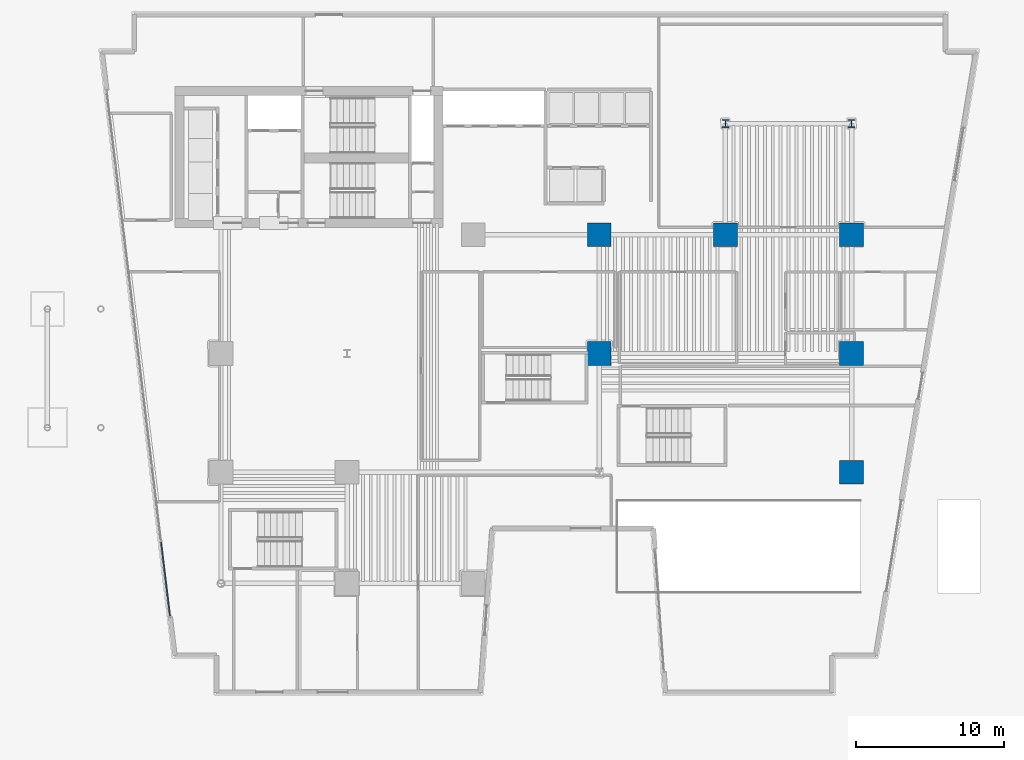
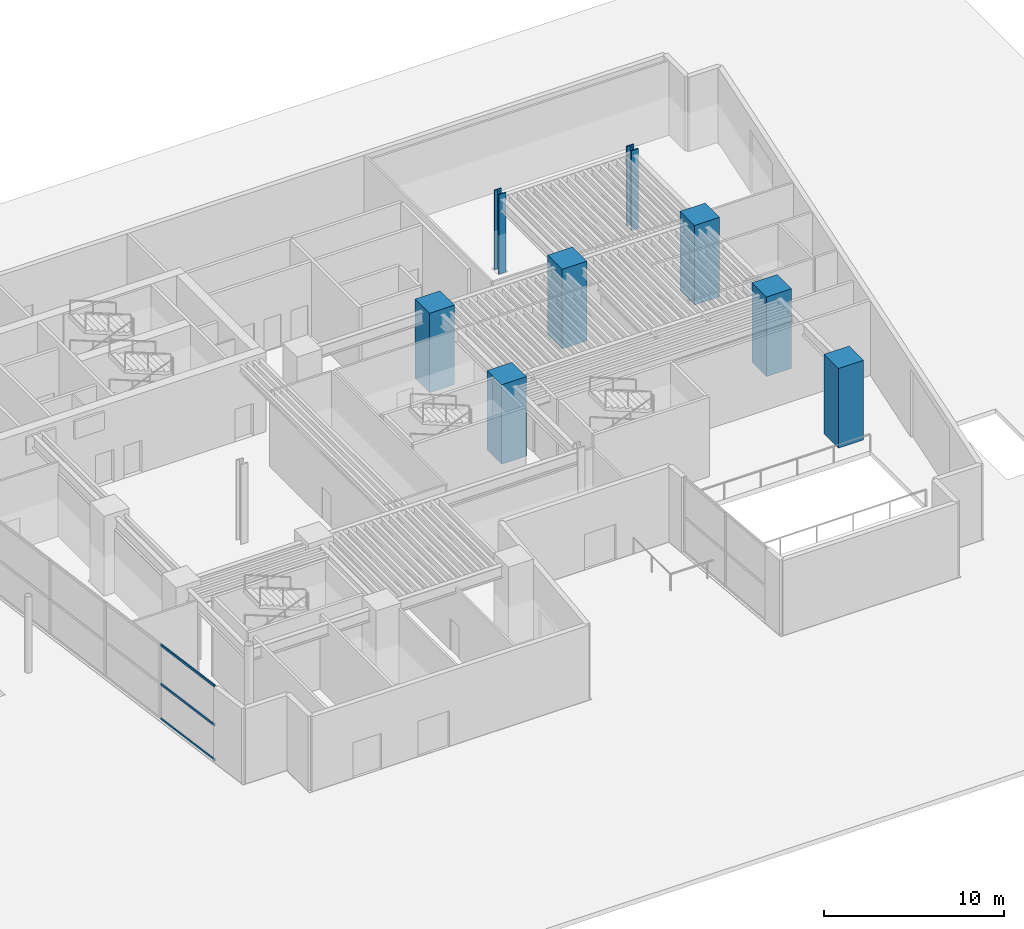
# One storey, part 2 of 18: 8 columns, 3 members, 1 element without a shape of its own.
"""IFC4 building model written with IfcOpenShell, lengths in metres."""

from ifc_helpers import new_model, si_unit, direction, frame, origin, origin_2d, place, context, subcontext, project, spatial, rectangle, i_section, extrude, material, layer, layer_set, material_profile, profile_set, type_object, element, aggregate, save


model = new_model("IFC4")

# Units and contexts
model_context = context("Model", 3, precision=1e-05, world=origin(), true_north=direction((0.0, 1.0)))
body_context = subcontext(model_context, "Body", "Model", "MODEL_VIEW")
ifc_project = project(units=[si_unit("LENGTHUNIT", "METRE"), si_unit("AREAUNIT", "SQUARE_METRE"), si_unit("VOLUMEUNIT", "CUBIC_METRE"), si_unit("PLANEANGLEUNIT", "RADIAN"), si_unit("MASSUNIT", "GRAM", prefix="KILO")], contexts=[model_context])

# Site, building, storey
site_placement = place(None, origin())
site = spatial("IfcSite", under=ifc_project, at=site_placement, CompositionType="ELEMENT")
building_placement = place(site_placement, origin())
building = spatial("IfcBuilding", under=site, at=building_placement, Name="Caeloran Harvest Quay", CompositionType="ELEMENT")
storey_placement = place(building_placement, origin())
storey = spatial("IfcBuildingStorey", under=building, at=storey_placement, Name="L01", CompositionType="ELEMENT", Elevation=0.0)

# Columns
ifc_material_1 = material(Name="Concrete C80/95", Category="concrete")
ifc_material_profile_1 = material_profile(ifc_material_1, rectangle(XDim=1.60009765625, YDim=1.60009765625, at=origin_2d()), Name="RC 1600x1600")
ifc_profile_set_1 = profile_set([ifc_material_profile_1], Name="Concrete C80/95")
column_type_1 = type_object("IfcColumnType", Name="COL-MC-1-RC_1600x1600", PredefinedType="COLUMN", material=ifc_profile_set_1)
for number, where, z_axis, x_axis, name in (
    (1, (34.0, 23.0, 0.0), (0.0, 0.0, 1.0), (1.0, 0.0, 0.0), "L01 Structural Column (34.0, 23.0)"),
    (2, (34.0, 31.0, 0.0), (0.0, 0.0, 1.0), (1.0, 0.0, 0.0), "L01 Structural Column (34.0, 31.0)"),
    (3, (42.5, 31.0, 0.0), (0.0, 0.0, 1.0), (1.0, 0.0, 0.0), "L01 Structural Column (42.5, 31.0)"),
    (4, (51.0, 15.0, 0.0), (0.0, 0.0, 1.0), (1.0, 0.0, 0.0), "L01 Structural Column (51.0, 15.0)"),
    (5, (51.0, 23.0, 0.0), (0.0, 0.0, 1.0), (1.0, 0.0, 0.0), "L01 Structural Column (51.0, 23.0)"),
    (6, (51.0, 31.0, 0.0), (0.0, 0.0, 1.0), (1.0, 0.0, 0.0), "L01 Structural Column (51.0, 31.0)"),
):
    element("IfcColumn", number, at=place(storey_placement, frame(where, z_axis=z_axis, x_axis=x_axis)), inside=storey, type_object=column_type_1, Name=name, PredefinedType="COLUMN", context=body_context, shape_type="SweptSolid", body=[
        extrude(rectangle(XDim=1.60009765625, YDim=1.60009765625, at=origin_2d()), origin(), (0.0, 0.0, 1.0), 5.39990234375),
    ])
ifc_material_2 = material(Name="Steel HISTAR 460", Category="steel")
ifc_material_profile_2 = material_profile(ifc_material_2, i_section(OverallWidth=0.4541015625, OverallDepth=0.569091796875, WebThickness=0.077880859375, FlangeThickness=0.080078125, FilletRadius=0.014892578125, at=origin_2d()), Name="HD 400x1086")
ifc_profile_set_2 = profile_set([ifc_material_profile_2], Name="Steel HISTAR 460")
column_type_2 = type_object("IfcColumnType", Name="COL-SC-1-HD_400x1086", PredefinedType="COLUMN", material=ifc_profile_set_2)
for number, where, z_axis, x_axis, name in (
    (7, (42.5, 38.5, 0.0), (0.0, 0.0, 1.0), (1.0, 0.0, 0.0), "L01 Structural Column (42.5, 38.5)"),
    (8, (51.0, 38.5, 0.0), (0.0, 0.0, 1.0), (1.0, 0.0, 0.0), "L01 Structural Column (51.0, 38.5)"),
):
    element("IfcColumn", number, at=place(storey_placement, frame(where, z_axis=z_axis, x_axis=x_axis)), inside=storey, type_object=column_type_2, Name=name, PredefinedType="COLUMN", context=body_context, shape_type="SweptSolid", body=[
        extrude(i_section(OverallWidth=0.4541015625, OverallDepth=0.569091796875, WebThickness=0.077880859375, FlangeThickness=0.080078125, FilletRadius=0.014892578125, at=origin_2d()), origin(), (0.0, 0.0, 1.0), 5.39990234375),
    ])

# Curtain wall, members
ifc_material_3 = material(Name="Aluminium 6063-T6 and Low-E Glazing", Category="aluminium")
ifc_layer = layer(ifc_material_3, 0.179931640625, Name="Aluminium 6063-T6 and Low-E Glazing")
ifc_layer_set = layer_set([ifc_layer], Name="Aluminium 6063-T6 and Low-E Glazing")
curtain_wall_type = type_object("IfcCurtainWallType", Name="CW-SYS-CW-1", PredefinedType="USERDEFINED", material=ifc_layer_set)
curtain_wall_placement = place(storey_placement, origin())
curtain_wall = element("IfcCurtainWall", 9, at=curtain_wall_placement, inside=storey, type_object=curtain_wall_type, Name="L01 Unitised Curtain Wall CW-1 Run 3", ObjectType="CURTAIN_WALL", PredefinedType="USERDEFINED")
ifc_material_4 = material(Name="Aluminium 6063-T6", Category="aluminium")
ifc_material_profile_3 = material_profile(ifc_material_4, rectangle(XDim=0.080078125, YDim=0.14990234375, at=origin_2d()), Name="CW-TRANSOM-150")
ifc_profile_set_3 = profile_set([ifc_material_profile_3], Name="Aluminium 6063-T6")
member_type = type_object("IfcMemberType", Name="CW-TRANSOM-150", PredefinedType="USERDEFINED", material=ifc_profile_set_3)
member_1_placement = place(storey_placement, frame((5.06396484375, 5.32080078125, 0.0400390625), z_axis=(-0.119662199144, 0.992814664525, 0.0), x_axis=(-0.992814664525, -0.119662199144, 0.0)))
member_1 = element("IfcMember", 10, at=member_1_placement, type_object=member_type, Name="CW-1 transom 1.1", ObjectType="TRANSOM", PredefinedType="USERDEFINED", context=body_context, shape_type="SweptSolid", body=[
    extrude(rectangle(XDim=0.080078125, YDim=0.14990234375, at=origin_2d()), origin(), (0.0, 0.0, 1.0), 4.990478515625),
])
member_2_placement = place(storey_placement, frame((5.06396484375, 5.32080078125, 2.39990234375), z_axis=(-0.119662199144, 0.992814664525, 0.0), x_axis=(-0.992814664525, -0.119662199144, 0.0)))
member_2 = element("IfcMember", 11, at=member_2_placement, type_object=member_type, Name="CW-1 transom 1.2", ObjectType="TRANSOM", PredefinedType="USERDEFINED", context=body_context, shape_type="SweptSolid", body=[
    extrude(rectangle(XDim=0.080078125, YDim=0.14990234375, at=origin_2d()), origin(), (0.0, 0.0, 1.0), 4.990478515625),
])
member_3_placement = place(storey_placement, frame((5.06396484375, 5.32080078125, 5.0400390625), z_axis=(-0.119662199144, 0.992814664525, 0.0), x_axis=(-0.992814664525, -0.119662199144, 0.0)))
member_3 = element("IfcMember", 12, at=member_3_placement, type_object=member_type, Name="CW-1 transom 1.3", ObjectType="TRANSOM", PredefinedType="USERDEFINED", context=body_context, shape_type="SweptSolid", body=[
    extrude(rectangle(XDim=0.080078125, YDim=0.14990234375, at=origin_2d()), origin(), (0.0, 0.0, 1.0), 4.990478515625),
])
aggregate(curtain_wall, [member_1, member_2, member_3])

save(model, "model.ifc")
